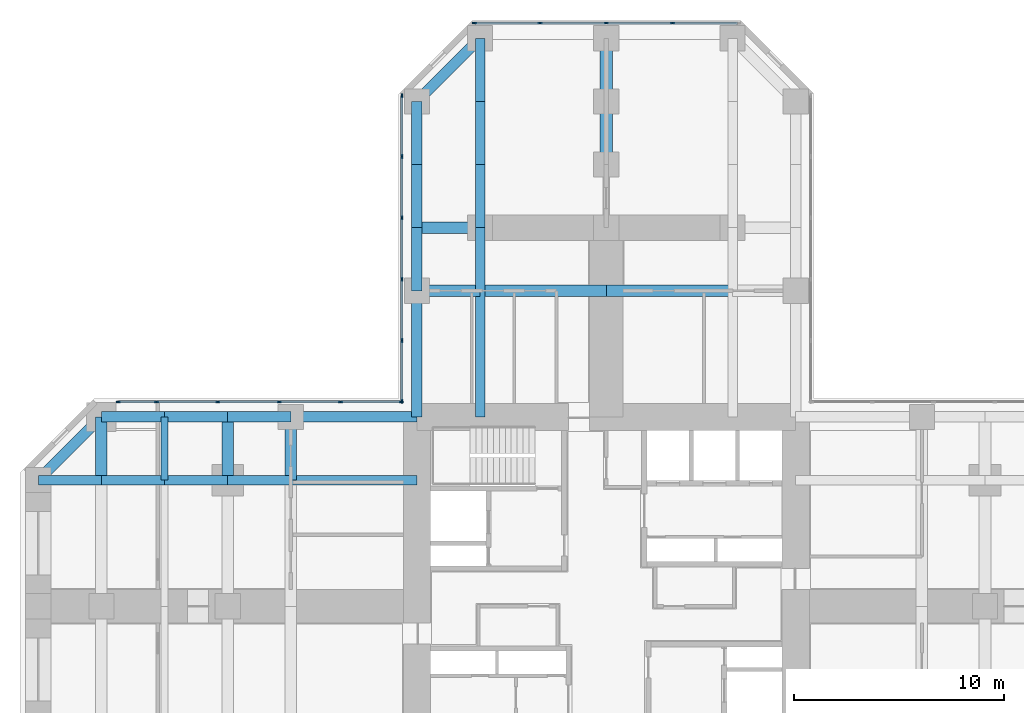
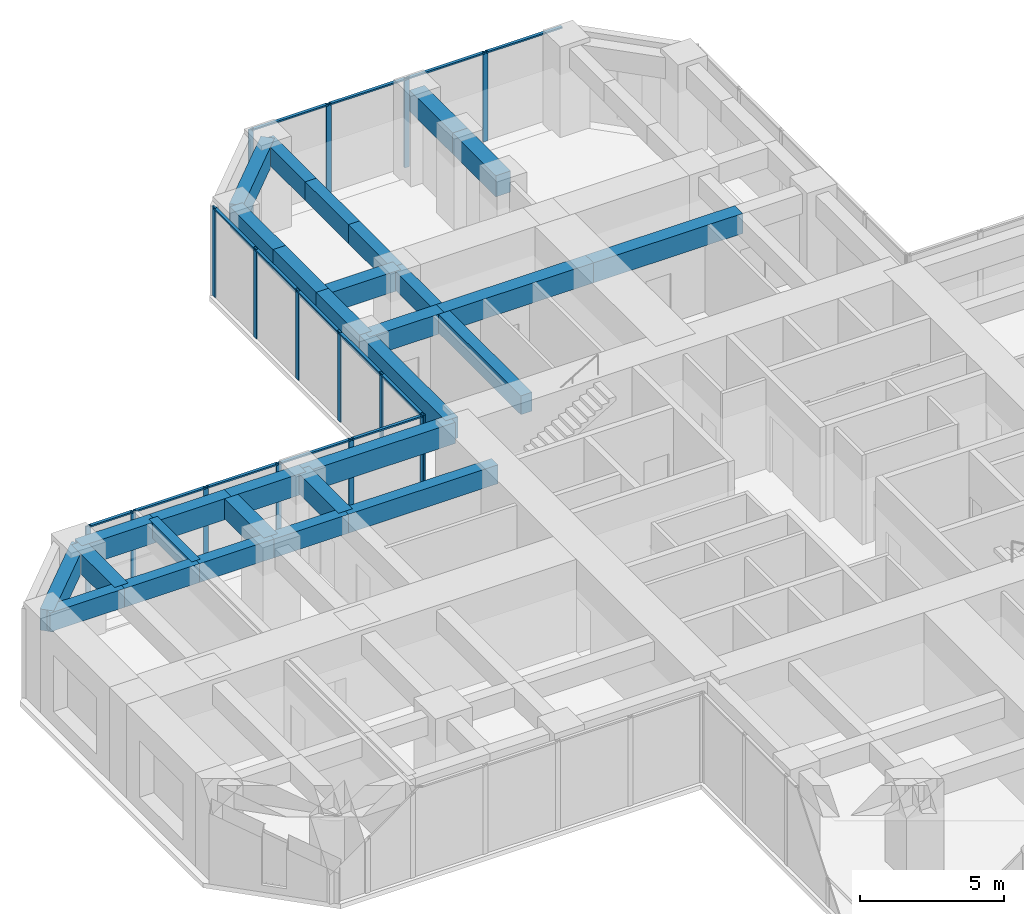
# One storey, part 5 of 13: 30 beams, 30 members, 3 elements without a shape of their own.
"""IFC4 building model written with IfcOpenShell, lengths in metres."""

from ifc_helpers import new_model, si_unit, direction, frame, origin, origin_2d, place, context, subcontext, project, spatial, rectangle, extrude, material, material_profile, profile_set, type_object, element, aggregate, save


model = new_model("IFC4")

# Units and contexts
model_context = context("Model", 3, precision=1e-05, world=origin(), true_north=direction((0.0, 1.0)))
body_context = subcontext(model_context, "Body", "Model", "MODEL_VIEW")
ifc_project = project(units=[si_unit("LENGTHUNIT", "METRE"), si_unit("AREAUNIT", "SQUARE_METRE"), si_unit("VOLUMEUNIT", "CUBIC_METRE"), si_unit("PLANEANGLEUNIT", "RADIAN"), si_unit("MASSUNIT", "GRAM", prefix="KILO")], contexts=[model_context])

# Site, building, storey
site_placement = place(None, origin())
site = spatial("IfcSite", under=ifc_project, at=site_placement, CompositionType="ELEMENT")
building_placement = place(site_placement, origin())
building = spatial("IfcBuilding", under=site, at=building_placement, Name="Torre Cruceta", CompositionType="ELEMENT")
storey_placement = place(building_placement, frame((0.0, 0.0, 23.5)))
storey = spatial("IfcBuildingStorey", under=building, at=storey_placement, Name="L05", CompositionType="ELEMENT", Elevation=23.5)

# Beams
ifc_material_1 = material(Name="Concrete G60 (fck 60 MPa)", Category="concrete")
ifc_material_profile_1 = material_profile(ifc_material_1, rectangle(XDim=0.60009765625, YDim=0.89990234375, at=origin_2d()), Name="RC 600X900")
ifc_profile_set_1 = profile_set([ifc_material_profile_1], Name="Concrete G60 (fck 60 MPa)")
beam_type_1 = type_object("IfcBeamType", Name="ARM CENTRE BEAM RC 600X900", PredefinedType="BEAM", material=ifc_profile_set_1)
for number, where, z_axis, x_axis, name in (
    (1, (0.0, 21.0, 3.35009765625), (0.0, 1.0, 0.0), (-1.0, 0.0, 0.0), "MB3 L05 N centre 1"),
    (2, (0.0, 24.0, 3.35009765625), (0.0, 1.0, 0.0), (-1.0, 0.0, 0.0), "MB3 L05 N centre 2"),
):
    element("IfcBeam", number, at=place(storey_placement, frame(where, z_axis=z_axis, x_axis=x_axis)), inside=storey, type_object=beam_type_1, Name=name, PredefinedType="BEAM", context=body_context, shape_type="SweptSolid", body=[
        extrude(rectangle(XDim=0.60009765625, YDim=0.89990234375, at=origin_2d()), origin(), (0.0, 0.0, 1.0), 3.0),
    ])
ifc_material_2 = material(Name="Concrete G60 (fck 60 MPa)", Category="concrete")
ifc_material_profile_2 = material_profile(ifc_material_2, rectangle(XDim=0.449951171875, YDim=0.800048828125, at=origin_2d()), Name="RC 450X800")
ifc_profile_set_2 = profile_set([ifc_material_profile_2], Name="Concrete G60 (fck 60 MPa)")
beam_type_2 = type_object("IfcBeamType", Name="COLUMN LINE BEAM RC 450X800", PredefinedType="BEAM", material=ifc_profile_set_2)
beam_1_placement = place(storey_placement, frame((-6.0, 9.0, 3.39990234375), z_axis=(0.0, 1.0, 0.0), x_axis=(-1.0, 0.0, 0.0)))
element("IfcBeam", 3, at=beam_1_placement, inside=storey, type_object=beam_type_2, Name="LB1 L05 N col+ 1", PredefinedType="BEAM", context=body_context, shape_type="SweptSolid", body=[
    extrude(rectangle(XDim=0.449951171875, YDim=0.800048828125, at=origin_2d()), origin(), (0.0, 0.0, 1.0), 6.0),
])
for number, where, z_axis, x_axis, name in (
    (4, (-6.0, 15.0, 3.39990234375), (0.0, 1.0, 0.0), (-1.0, 0.0, 0.0), "LB1 L05 N col+ 2"),
    (5, (-6.0, 18.0, 3.39990234375), (0.0, 1.0, 0.0), (-1.0, 0.0, 0.0), "LB1 L05 N col+ 3"),
    (6, (-6.0, 21.0, 3.39990234375), (0.0, 1.0, 0.0), (-1.0, 0.0, 0.0), "LB1 L05 N col+ 4"),
    (7, (-6.0, 24.0, 3.39990234375), (0.0, 1.0, 0.0), (-1.0, 0.0, 0.0), "LB1 L05 N col+ 5"),
):
    element("IfcBeam", number, at=place(storey_placement, frame(where, z_axis=z_axis, x_axis=x_axis)), inside=storey, type_object=beam_type_2, Name=name, PredefinedType="BEAM", context=body_context, shape_type="SweptSolid", body=[
        extrude(rectangle(XDim=0.449951171875, YDim=0.800048828125, at=origin_2d()), origin(), (0.0, 0.0, 1.0), 3.0),
    ])
beam_2_placement = place(storey_placement, frame((-9.0, 6.0, 3.39990234375), z_axis=(-1.0, 0.0, 0.0), x_axis=(0.0, -1.0, 0.0)))
element("IfcBeam", 8, at=beam_2_placement, inside=storey, type_object=beam_type_2, Name="LB1 L05 W col- 1", PredefinedType="BEAM", context=body_context, shape_type="SweptSolid", body=[
    extrude(rectangle(XDim=0.449951171875, YDim=0.800048828125, at=origin_2d()), origin(), (0.0, 0.0, 1.0), 6.0),
])
for number, where, z_axis, x_axis, name in (
    (9, (-15.0, 6.0, 3.39990234375), (-1.0, 0.0, 0.0), (0.0, -1.0, 0.0), "LB1 L05 W col- 2"),
    (10, (-18.0, 6.0, 3.39990234375), (-1.0, 0.0, 0.0), (0.0, -1.0, 0.0), "LB1 L05 W col- 3"),
    (11, (-21.0, 6.0, 3.39990234375), (-1.0, 0.0, 0.0), (0.0, -1.0, 0.0), "LB1 L05 W col- 4"),
    (12, (-24.0, 6.0, 3.39990234375), (-1.0, 0.0, 0.0), (0.0, -1.0, 0.0), "LB1 L05 W col- 5"),
):
    element("IfcBeam", number, at=place(storey_placement, frame(where, z_axis=z_axis, x_axis=x_axis)), inside=storey, type_object=beam_type_2, Name=name, PredefinedType="BEAM", context=body_context, shape_type="SweptSolid", body=[
        extrude(rectangle(XDim=0.449951171875, YDim=0.800048828125, at=origin_2d()), origin(), (0.0, 0.0, 1.0), 3.0),
    ])
ifc_material_3 = material(Name="Concrete G60 (fck 60 MPa)", Category="concrete")
ifc_material_profile_3 = material_profile(ifc_material_3, rectangle(XDim=0.550048828125, YDim=0.85009765625, at=origin_2d()), Name="RC 550X850")
ifc_profile_set_3 = profile_set([ifc_material_profile_3], Name="Concrete G60 (fck 60 MPa)")
beam_type_3 = type_object("IfcBeamType", Name="CROSS BEAM RC 550X850", PredefinedType="BEAM", material=ifc_profile_set_3)
for number, where, z_axis, x_axis, name in (
    (13, (6.0, 15.0, 3.375), (-1.0, 0.0, 0.0), (0.0, -1.0, 0.0), "GB4 L05 N cross15 2"),
    (14, (0.0, 15.0, 3.375), (-1.0, 0.0, 0.0), (0.0, -1.0, 0.0), "GB4 L05 N cross15 3"),
):
    element("IfcBeam", number, at=place(storey_placement, frame(where, z_axis=z_axis, x_axis=x_axis)), inside=storey, type_object=beam_type_3, Name=name, PredefinedType="BEAM", context=body_context, shape_type="SweptSolid", body=[
        extrude(rectangle(XDim=0.550048828125, YDim=0.85009765625, at=origin_2d()), origin(), (0.0, 0.0, 1.0), 6.0),
    ])
for number, where, z_axis, x_axis, name in (
    (15, (-6.0, 15.0, 3.375), (-1.0, 0.0, 0.0), (0.0, -1.0, 0.0), "GB4 L05 N cross15 4"),
    (16, (-6.0, 18.0, 3.375), (-1.0, 0.0, 0.0), (0.0, -1.0, 0.0), "GB4 L05 N cross18b 1"),
    (17, (-15.0, 9.0, 3.375), (0.0, -1.0, 0.0), (1.0, 0.0, 0.0), "GB4 L05 W cross15 1"),
    (18, (-18.0, 9.0, 3.375), (0.0, -1.0, 0.0), (1.0, 0.0, 0.0), "GB4 L05 W cross18 1"),
    (19, (-24.0, 9.0, 3.375), (0.0, -1.0, 0.0), (1.0, 0.0, 0.0), "GB4 L05 W cross24 1"),
):
    element("IfcBeam", number, at=place(storey_placement, frame(where, z_axis=z_axis, x_axis=x_axis)), inside=storey, type_object=beam_type_3, Name=name, PredefinedType="BEAM", context=body_context, shape_type="SweptSolid", body=[
        extrude(rectangle(XDim=0.550048828125, YDim=0.85009765625, at=origin_2d()), origin(), (0.0, 0.0, 1.0), 3.0),
    ])

# Curtain wall, members
ifc_material_4 = material(Name="Aluminium unitised curtain wall", Category="aluminium")
curtain_wall_type = type_object("IfcCurtainWallType", Name="CURTAIN WALL CW-A OFFICE LOW RISE", PredefinedType="USERDEFINED", material=ifc_material_4)
curtain_wall_1_placement = place(storey_placement, origin())
curtain_wall_1 = element("IfcCurtainWall", 20, at=curtain_wall_1_placement, inside=storey, type_object=curtain_wall_type, Name="CW-A L05 N tip 07", ObjectType="UNITISED", PredefinedType="USERDEFINED")
ifc_material_5 = material(Name="Aluminium mullion", Category="aluminium")
ifc_material_profile_4 = material_profile(ifc_material_5, rectangle(XDim=0.06494140625, YDim=0.199951171875, at=origin_2d()), Name="AL 65X200")
ifc_profile_set_4 = profile_set([ifc_material_profile_4], Name="Aluminium mullion")
member_type_1 = type_object("IfcMemberType", Name="CW-A MULLION 65X200", PredefinedType="MULLION", material=ifc_profile_set_4)
member_1_placement = place(storey_placement, frame((3.149169921875, 27.719970703125, 0.0), z_axis=(0.0, 0.0, 1.0), x_axis=(0.0, -1.0, 0.0)))
member_1 = element("IfcMember", 21, at=member_1_placement, type_object=member_type_1, Name="CW-A mullion 2", PredefinedType="MULLION", context=body_context, shape_type="SweptSolid", body=[
    extrude(rectangle(XDim=0.06494140625, YDim=0.199951171875, at=origin_2d()), origin(), (0.0, 0.0, 1.0), 3.800048828125),
])
member_2_placement = place(storey_placement, frame((0.0, 27.719970703125, 0.0), z_axis=(0.0, 0.0, 1.0), x_axis=(0.0, -1.0, 0.0)))
member_2 = element("IfcMember", 22, at=member_2_placement, type_object=member_type_1, Name="CW-A mullion 3", PredefinedType="MULLION", context=body_context, shape_type="SweptSolid", body=[
    extrude(rectangle(XDim=0.06494140625, YDim=0.199951171875, at=origin_2d()), origin(), (0.0, 0.0, 1.0), 3.800048828125),
])
member_3_placement = place(storey_placement, frame((-3.149169921875, 27.719970703125, 0.0), z_axis=(0.0, 0.0, 1.0), x_axis=(0.0, -1.0, 0.0)))
member_3 = element("IfcMember", 23, at=member_3_placement, type_object=member_type_1, Name="CW-A mullion 4", PredefinedType="MULLION", context=body_context, shape_type="SweptSolid", body=[
    extrude(rectangle(XDim=0.06494140625, YDim=0.199951171875, at=origin_2d()), origin(), (0.0, 0.0, 1.0), 3.800048828125),
])
member_4_placement = place(storey_placement, frame((-6.265625, 27.719970703125, 0.0), z_axis=(0.0, 0.0, 1.0), x_axis=(0.0, -1.0, 0.0)))
member_4 = element("IfcMember", 24, at=member_4_placement, type_object=member_type_1, Name="CW-A mullion 5", PredefinedType="MULLION", context=body_context, shape_type="SweptSolid", body=[
    extrude(rectangle(XDim=0.06494140625, YDim=0.199951171875, at=origin_2d()), origin(), (0.0, 0.0, 1.0), 3.800048828125),
])

curtain_wall_2_placement = place(storey_placement, origin())
curtain_wall_2 = element("IfcCurtainWall", 25, at=curtain_wall_2_placement, inside=storey, type_object=curtain_wall_type, Name="CW-A L05 N side 09", ObjectType="UNITISED", PredefinedType="USERDEFINED")
member_5_placement = place(storey_placement, frame((-9.719970703125, 24.265625, 0.0), z_axis=(0.0, 0.0, 1.0), x_axis=(1.0, 0.0, 0.0)))
member_5 = element("IfcMember", 26, at=member_5_placement, type_object=member_type_1, Name="CW-A mullion 1", PredefinedType="MULLION", context=body_context, shape_type="SweptSolid", body=[
    extrude(rectangle(XDim=0.06494140625, YDim=0.199951171875, at=origin_2d()), origin(), (0.0, 0.0, 1.0), 3.800048828125),
])
member_6_placement = place(storey_placement, frame((-9.719970703125, 21.382568359375, 0.0), z_axis=(0.0, 0.0, 1.0), x_axis=(1.0, 0.0, 0.0)))
member_6 = element("IfcMember", 27, at=member_6_placement, type_object=member_type_1, Name="CW-A mullion 2", PredefinedType="MULLION", context=body_context, shape_type="SweptSolid", body=[
    extrude(rectangle(XDim=0.06494140625, YDim=0.199951171875, at=origin_2d()), origin(), (0.0, 0.0, 1.0), 3.800048828125),
])
member_7_placement = place(storey_placement, frame((-9.719970703125, 18.467041015625, 0.0), z_axis=(0.0, 0.0, 1.0), x_axis=(1.0, 0.0, 0.0)))
member_7 = element("IfcMember", 28, at=member_7_placement, type_object=member_type_1, Name="CW-A mullion 3", PredefinedType="MULLION", context=body_context, shape_type="SweptSolid", body=[
    extrude(rectangle(XDim=0.06494140625, YDim=0.199951171875, at=origin_2d()), origin(), (0.0, 0.0, 1.0), 3.800048828125),
])
member_8_placement = place(storey_placement, frame((-9.719970703125, 15.55126953125, 0.0), z_axis=(0.0, 0.0, 1.0), x_axis=(1.0, 0.0, 0.0)))
member_8 = element("IfcMember", 29, at=member_8_placement, type_object=member_type_1, Name="CW-A mullion 4", PredefinedType="MULLION", context=body_context, shape_type="SweptSolid", body=[
    extrude(rectangle(XDim=0.06494140625, YDim=0.199951171875, at=origin_2d()), origin(), (0.0, 0.0, 1.0), 3.800048828125),
])
member_9_placement = place(storey_placement, frame((-9.719970703125, 12.6357421875, 0.0), z_axis=(0.0, 0.0, 1.0), x_axis=(1.0, 0.0, 0.0)))
member_9 = element("IfcMember", 30, at=member_9_placement, type_object=member_type_1, Name="CW-A mullion 5", PredefinedType="MULLION", context=body_context, shape_type="SweptSolid", body=[
    extrude(rectangle(XDim=0.06494140625, YDim=0.199951171875, at=origin_2d()), origin(), (0.0, 0.0, 1.0), 3.800048828125),
])
member_10_placement = place(storey_placement, frame((-9.719970703125, 9.75244140625, 0.0), z_axis=(0.0, 0.0, 1.0), x_axis=(1.0, 0.0, 0.0)))
member_10 = element("IfcMember", 31, at=member_10_placement, type_object=member_type_1, Name="CW-A mullion 6", PredefinedType="MULLION", context=body_context, shape_type="SweptSolid", body=[
    extrude(rectangle(XDim=0.06494140625, YDim=0.199951171875, at=origin_2d()), origin(), (0.0, 0.0, 1.0), 3.800048828125),
])

curtain_wall_3_placement = place(storey_placement, origin())
curtain_wall_3 = element("IfcCurtainWall", 32, at=curtain_wall_3_placement, inside=storey, type_object=curtain_wall_type, Name="CW-A L05 W side 10", ObjectType="UNITISED", PredefinedType="USERDEFINED")
member_11_placement = place(storey_placement, frame((-9.75244140625, 9.719970703125, 0.0), z_axis=(0.0, 0.0, 1.0), x_axis=(0.0, -1.0, 0.0)))
member_11 = element("IfcMember", 33, at=member_11_placement, type_object=member_type_1, Name="CW-A mullion 1", PredefinedType="MULLION", context=body_context, shape_type="SweptSolid", body=[
    extrude(rectangle(XDim=0.06494140625, YDim=0.199951171875, at=origin_2d()), origin(), (0.0, 0.0, 1.0), 3.800048828125),
])
member_12_placement = place(storey_placement, frame((-12.6357421875, 9.719970703125, 0.0), z_axis=(0.0, 0.0, 1.0), x_axis=(0.0, -1.0, 0.0)))
member_12 = element("IfcMember", 34, at=member_12_placement, type_object=member_type_1, Name="CW-A mullion 2", PredefinedType="MULLION", context=body_context, shape_type="SweptSolid", body=[
    extrude(rectangle(XDim=0.06494140625, YDim=0.199951171875, at=origin_2d()), origin(), (0.0, 0.0, 1.0), 3.800048828125),
])
member_13_placement = place(storey_placement, frame((-15.55126953125, 9.719970703125, 0.0), z_axis=(0.0, 0.0, 1.0), x_axis=(0.0, -1.0, 0.0)))
member_13 = element("IfcMember", 35, at=member_13_placement, type_object=member_type_1, Name="CW-A mullion 3", PredefinedType="MULLION", context=body_context, shape_type="SweptSolid", body=[
    extrude(rectangle(XDim=0.06494140625, YDim=0.199951171875, at=origin_2d()), origin(), (0.0, 0.0, 1.0), 3.800048828125),
])
member_14_placement = place(storey_placement, frame((-18.467041015625, 9.719970703125, 0.0), z_axis=(0.0, 0.0, 1.0), x_axis=(0.0, -1.0, 0.0)))
member_14 = element("IfcMember", 36, at=member_14_placement, type_object=member_type_1, Name="CW-A mullion 4", PredefinedType="MULLION", context=body_context, shape_type="SweptSolid", body=[
    extrude(rectangle(XDim=0.06494140625, YDim=0.199951171875, at=origin_2d()), origin(), (0.0, 0.0, 1.0), 3.800048828125),
])
member_15_placement = place(storey_placement, frame((-21.382568359375, 9.719970703125, 0.0), z_axis=(0.0, 0.0, 1.0), x_axis=(0.0, -1.0, 0.0)))
member_15 = element("IfcMember", 37, at=member_15_placement, type_object=member_type_1, Name="CW-A mullion 5", PredefinedType="MULLION", context=body_context, shape_type="SweptSolid", body=[
    extrude(rectangle(XDim=0.06494140625, YDim=0.199951171875, at=origin_2d()), origin(), (0.0, 0.0, 1.0), 3.800048828125),
])
member_16_placement = place(storey_placement, frame((-23.198974609375, 9.719970703125, 0.0), z_axis=(0.0, 0.0, 1.0), x_axis=(0.0, -1.0, 0.0)))
member_16 = element("IfcMember", 38, at=member_16_placement, type_object=member_type_1, Name="CW-A mullion 6", PredefinedType="MULLION", context=body_context, shape_type="SweptSolid", body=[
    extrude(rectangle(XDim=0.06494140625, YDim=0.199951171875, at=origin_2d()), origin(), (0.0, 0.0, 1.0), 3.800048828125),
])

# Member
ifc_material_6 = material(Name="Aluminium transom", Category="aluminium")
ifc_material_profile_5 = material_profile(ifc_material_6, rectangle(XDim=0.1201171875, YDim=0.06494140625, at=origin_2d()), Name="AL 120X65")
ifc_profile_set_5 = profile_set([ifc_material_profile_5], Name="Aluminium transom")
member_type_2 = type_object("IfcMemberType", Name="CW-A TRANSOM 65X120", PredefinedType="USERDEFINED", material=ifc_profile_set_5)
member_17_placement = place(storey_placement, frame((6.233154296875, 27.719970703125, 3.767578125), z_axis=(-1.0, 0.0, 0.0), x_axis=(0.0, -1.0, 0.0)))
member_17 = element("IfcMember", 39, at=member_17_placement, type_object=member_type_2, Name="CW-A transom 1", ObjectType="TRANSOM", PredefinedType="USERDEFINED", context=body_context, shape_type="SweptSolid", body=[
    extrude(rectangle(XDim=0.1201171875, YDim=0.06494140625, at=origin_2d()), origin(), (0.0, 0.0, 1.0), 3.051513671875),
])

member_18_placement = place(storey_placement, frame((3.11669921875, 27.719970703125, 3.767578125), z_axis=(-1.0, 0.0, 0.0), x_axis=(0.0, -1.0, 0.0)))
member_18 = element("IfcMember", 40, at=member_18_placement, type_object=member_type_2, Name="CW-A transom 2", ObjectType="TRANSOM", PredefinedType="USERDEFINED", context=body_context, shape_type="SweptSolid", body=[
    extrude(rectangle(XDim=0.1201171875, YDim=0.06494140625, at=origin_2d()), origin(), (0.0, 0.0, 1.0), 3.084228515625),
])

member_19_placement = place(storey_placement, frame((-0.032470703125, 27.719970703125, 3.767578125), z_axis=(-1.0, 0.0, 0.0), x_axis=(0.0, -1.0, 0.0)))
member_19 = element("IfcMember", 41, at=member_19_placement, type_object=member_type_2, Name="CW-A transom 3", ObjectType="TRANSOM", PredefinedType="USERDEFINED", context=body_context, shape_type="SweptSolid", body=[
    extrude(rectangle(XDim=0.1201171875, YDim=0.06494140625, at=origin_2d()), origin(), (0.0, 0.0, 1.0), 3.084228515625),
])

member_20_placement = place(storey_placement, frame((-3.181640625, 27.719970703125, 3.767578125), z_axis=(-1.0, 0.0, 0.0), x_axis=(0.0, -1.0, 0.0)))
member_20 = element("IfcMember", 42, at=member_20_placement, type_object=member_type_2, Name="CW-A transom 4", ObjectType="TRANSOM", PredefinedType="USERDEFINED", context=body_context, shape_type="SweptSolid", body=[
    extrude(rectangle(XDim=0.1201171875, YDim=0.06494140625, at=origin_2d()), origin(), (0.0, 0.0, 1.0), 3.051513671875),
])

aggregate(curtain_wall_1, [member_1, member_2, member_3, member_4, member_17, member_18, member_19, member_20])

member_21_placement = place(storey_placement, frame((-9.719970703125, 24.233154296875, 3.767578125), z_axis=(0.0, -1.0, 0.0), x_axis=(1.0, 0.0, 0.0)))
member_21 = element("IfcMember", 43, at=member_21_placement, type_object=member_type_2, Name="CW-A transom 1", ObjectType="TRANSOM", PredefinedType="USERDEFINED", context=body_context, shape_type="SweptSolid", body=[
    extrude(rectangle(XDim=0.1201171875, YDim=0.06494140625, at=origin_2d()), origin(), (0.0, 0.0, 1.0), 2.818115234375),
])

member_22_placement = place(storey_placement, frame((-9.719970703125, 21.35009765625, 3.767578125), z_axis=(0.0, -1.0, 0.0), x_axis=(1.0, 0.0, 0.0)))
member_22 = element("IfcMember", 44, at=member_22_placement, type_object=member_type_2, Name="CW-A transom 2", ObjectType="TRANSOM", PredefinedType="USERDEFINED", context=body_context, shape_type="SweptSolid", body=[
    extrude(rectangle(XDim=0.1201171875, YDim=0.06494140625, at=origin_2d()), origin(), (0.0, 0.0, 1.0), 2.8505859375),
])

member_23_placement = place(storey_placement, frame((-9.719970703125, 18.434326171875, 3.767578125), z_axis=(0.0, -1.0, 0.0), x_axis=(1.0, 0.0, 0.0)))
member_23 = element("IfcMember", 45, at=member_23_placement, type_object=member_type_2, Name="CW-A transom 3", ObjectType="TRANSOM", PredefinedType="USERDEFINED", context=body_context, shape_type="SweptSolid", body=[
    extrude(rectangle(XDim=0.1201171875, YDim=0.06494140625, at=origin_2d()), origin(), (0.0, 0.0, 1.0), 2.8505859375),
])

member_24_placement = place(storey_placement, frame((-9.719970703125, 15.518798828125, 3.767578125), z_axis=(0.0, -1.0, 0.0), x_axis=(1.0, 0.0, 0.0)))
member_24 = element("IfcMember", 46, at=member_24_placement, type_object=member_type_2, Name="CW-A transom 4", ObjectType="TRANSOM", PredefinedType="USERDEFINED", context=body_context, shape_type="SweptSolid", body=[
    extrude(rectangle(XDim=0.1201171875, YDim=0.06494140625, at=origin_2d()), origin(), (0.0, 0.0, 1.0), 2.8505859375),
])

member_25_placement = place(storey_placement, frame((-9.719970703125, 12.60302734375, 3.767578125), z_axis=(0.0, -1.0, 0.0), x_axis=(1.0, 0.0, 0.0)))
member_25 = element("IfcMember", 47, at=member_25_placement, type_object=member_type_2, Name="CW-A transom 5", ObjectType="TRANSOM", PredefinedType="USERDEFINED", context=body_context, shape_type="SweptSolid", body=[
    extrude(rectangle(XDim=0.1201171875, YDim=0.06494140625, at=origin_2d()), origin(), (0.0, 0.0, 1.0), 2.818115234375),
])

aggregate(curtain_wall_2, [member_5, member_6, member_7, member_8, member_9, member_10, member_21, member_22, member_23, member_24, member_25])

member_26_placement = place(storey_placement, frame((-9.784912109375, 9.719970703125, 3.767578125), z_axis=(-1.0, 0.0, 0.0), x_axis=(0.0, -1.0, 0.0)))
member_26 = element("IfcMember", 48, at=member_26_placement, type_object=member_type_2, Name="CW-A transom 1", ObjectType="TRANSOM", PredefinedType="USERDEFINED", context=body_context, shape_type="SweptSolid", body=[
    extrude(rectangle(XDim=0.1201171875, YDim=0.06494140625, at=origin_2d()), origin(), (0.0, 0.0, 1.0), 2.818115234375),
])

member_27_placement = place(storey_placement, frame((-12.668212890625, 9.719970703125, 3.767578125), z_axis=(-1.0, 0.0, 0.0), x_axis=(0.0, -1.0, 0.0)))
member_27 = element("IfcMember", 49, at=member_27_placement, type_object=member_type_2, Name="CW-A transom 2", ObjectType="TRANSOM", PredefinedType="USERDEFINED", context=body_context, shape_type="SweptSolid", body=[
    extrude(rectangle(XDim=0.1201171875, YDim=0.06494140625, at=origin_2d()), origin(), (0.0, 0.0, 1.0), 2.8505859375),
])

member_28_placement = place(storey_placement, frame((-15.583740234375, 9.719970703125, 3.767578125), z_axis=(-1.0, 0.0, 0.0), x_axis=(0.0, -1.0, 0.0)))
member_28 = element("IfcMember", 50, at=member_28_placement, type_object=member_type_2, Name="CW-A transom 3", ObjectType="TRANSOM", PredefinedType="USERDEFINED", context=body_context, shape_type="SweptSolid", body=[
    extrude(rectangle(XDim=0.1201171875, YDim=0.06494140625, at=origin_2d()), origin(), (0.0, 0.0, 1.0), 2.8505859375),
])

member_29_placement = place(storey_placement, frame((-18.49951171875, 9.719970703125, 3.767578125), z_axis=(-1.0, 0.0, 0.0), x_axis=(0.0, -1.0, 0.0)))
member_29 = element("IfcMember", 51, at=member_29_placement, type_object=member_type_2, Name="CW-A transom 4", ObjectType="TRANSOM", PredefinedType="USERDEFINED", context=body_context, shape_type="SweptSolid", body=[
    extrude(rectangle(XDim=0.1201171875, YDim=0.06494140625, at=origin_2d()), origin(), (0.0, 0.0, 1.0), 2.8505859375),
])

member_30_placement = place(storey_placement, frame((-21.4150390625, 9.719970703125, 3.767578125), z_axis=(-1.0, 0.0, 0.0), x_axis=(0.0, -1.0, 0.0)))
member_30 = element("IfcMember", 52, at=member_30_placement, type_object=member_type_2, Name="CW-A transom 5", ObjectType="TRANSOM", PredefinedType="USERDEFINED", context=body_context, shape_type="SweptSolid", body=[
    extrude(rectangle(XDim=0.1201171875, YDim=0.06494140625, at=origin_2d()), origin(), (0.0, 0.0, 1.0), 1.75146484375),
])

aggregate(curtain_wall_3, [member_11, member_12, member_13, member_14, member_15, member_16, member_26, member_27, member_28, member_29, member_30])

# Beams
ifc_material_7 = material(Name="Concrete G60 (fck 60 MPa)", Category="concrete")
ifc_material_profile_6 = material_profile(ifc_material_7, rectangle(XDim=0.35009765625, YDim=0.64990234375, at=origin_2d()), Name="RC 350X650")
ifc_profile_set_6 = profile_set([ifc_material_profile_6], Name="Concrete G60 (fck 60 MPa)")
beam_type_4 = type_object("IfcBeamType", Name="SECONDARY BEAM RC 350X650", PredefinedType="JOIST", material=ifc_profile_set_6)
beam_3_placement = place(storey_placement, frame((-21.0, 9.0, 3.47509765625), z_axis=(0.0, -1.0, 0.0), x_axis=(1.0, 0.0, 0.0)))
element("IfcBeam", 53, at=beam_3_placement, inside=storey, type_object=beam_type_4, Name="JB3 L05 W sec21 1", PredefinedType="JOIST", context=body_context, shape_type="SweptSolid", body=[
    extrude(rectangle(XDim=0.35009765625, YDim=0.64990234375, at=origin_2d()), origin(), (0.0, 0.0, 1.0), 3.0),
])
ifc_material_8 = material(Name="Concrete G60 (fck 60 MPa)", Category="concrete")
ifc_material_profile_7 = material_profile(ifc_material_8, rectangle(XDim=0.5, YDim=0.89990234375, at=origin_2d()), Name="RC 500X900")
ifc_profile_set_7 = profile_set([ifc_material_profile_7], Name="Concrete G60 (fck 60 MPa)")
beam_type_5 = type_object("IfcBeamType", Name="SPANDREL BEAM RC 500X900", PredefinedType="SPANDREL", material=ifc_profile_set_7)
beam_4_placement = place(storey_placement, frame((-9.0, 9.0, 3.35009765625), z_axis=(0.0, 1.0, 0.0), x_axis=(-1.0, 0.0, 0.0)))
element("IfcBeam", 54, at=beam_4_placement, inside=storey, type_object=beam_type_5, Name="SB4 L05 N side+ 1", PredefinedType="SPANDREL", context=body_context, shape_type="SweptSolid", body=[
    extrude(rectangle(XDim=0.5, YDim=0.89990234375, at=origin_2d()), origin(), (0.0, 0.0, 1.0), 6.0),
])
for number, where, z_axis, x_axis, name in (
    (55, (-9.0, 15.0, 3.35009765625), (0.0, 1.0, 0.0), (-1.0, 0.0, 0.0), "SB4 L05 N side+ 2"),
    (56, (-9.0, 18.0, 3.35009765625), (0.0, 1.0, 0.0), (-1.0, 0.0, 0.0), "SB4 L05 N side+ 3"),
    (57, (-9.0, 21.0, 3.35009765625), (0.0, 1.0, 0.0), (-1.0, 0.0, 0.0), "SB4 L05 N side+ 4"),
):
    element("IfcBeam", number, at=place(storey_placement, frame(where, z_axis=z_axis, x_axis=x_axis)), inside=storey, type_object=beam_type_5, Name=name, PredefinedType="SPANDREL", context=body_context, shape_type="SweptSolid", body=[
        extrude(rectangle(XDim=0.5, YDim=0.89990234375, at=origin_2d()), origin(), (0.0, 0.0, 1.0), 3.0),
    ])
beam_5_placement = place(storey_placement, frame((-9.0, 24.0, 3.35009765625), z_axis=(0.707106781187, 0.707106781187, 0.0), x_axis=(-0.707106781187, 0.707106781187, 0.0)))
element("IfcBeam", 58, at=beam_5_placement, inside=storey, type_object=beam_type_5, Name="SB4 L05 N side+ 5", PredefinedType="SPANDREL", context=body_context, shape_type="SweptSolid", body=[
    extrude(rectangle(XDim=0.5, YDim=0.89990234375, at=origin_2d()), origin(), (0.0, 0.0, 1.0), 4.24267578125),
])
beam_6_placement = place(storey_placement, frame((-9.0, 9.0, 3.35009765625), z_axis=(-1.0, 0.0, 0.0), x_axis=(0.0, -1.0, 0.0)))
element("IfcBeam", 59, at=beam_6_placement, inside=storey, type_object=beam_type_5, Name="SB4 L05 W side- 1", PredefinedType="SPANDREL", context=body_context, shape_type="SweptSolid", body=[
    extrude(rectangle(XDim=0.5, YDim=0.89990234375, at=origin_2d()), origin(), (0.0, 0.0, 1.0), 6.0),
])
for number, where, z_axis, x_axis, name in (
    (60, (-15.0, 9.0, 3.35009765625), (-1.0, 0.0, 0.0), (0.0, -1.0, 0.0), "SB4 L05 W side- 2"),
    (61, (-18.0, 9.0, 3.35009765625), (-1.0, 0.0, 0.0), (0.0, -1.0, 0.0), "SB4 L05 W side- 3"),
    (62, (-21.0, 9.0, 3.35009765625), (-1.0, 0.0, 0.0), (0.0, -1.0, 0.0), "SB4 L05 W side- 4"),
):
    element("IfcBeam", number, at=place(storey_placement, frame(where, z_axis=z_axis, x_axis=x_axis)), inside=storey, type_object=beam_type_5, Name=name, PredefinedType="SPANDREL", context=body_context, shape_type="SweptSolid", body=[
        extrude(rectangle(XDim=0.5, YDim=0.89990234375, at=origin_2d()), origin(), (0.0, 0.0, 1.0), 3.0),
    ])
beam_7_placement = place(storey_placement, frame((-24.0, 9.0, 3.35009765625), z_axis=(-0.707106781187, -0.707106781187, 0.0), x_axis=(0.707106781187, -0.707106781187, 0.0)))
element("IfcBeam", 63, at=beam_7_placement, inside=storey, type_object=beam_type_5, Name="SB4 L05 W side- 5", PredefinedType="SPANDREL", context=body_context, shape_type="SweptSolid", body=[
    extrude(rectangle(XDim=0.5, YDim=0.89990234375, at=origin_2d()), origin(), (0.0, 0.0, 1.0), 4.24267578125),
])

save(model, "model.ifc")
